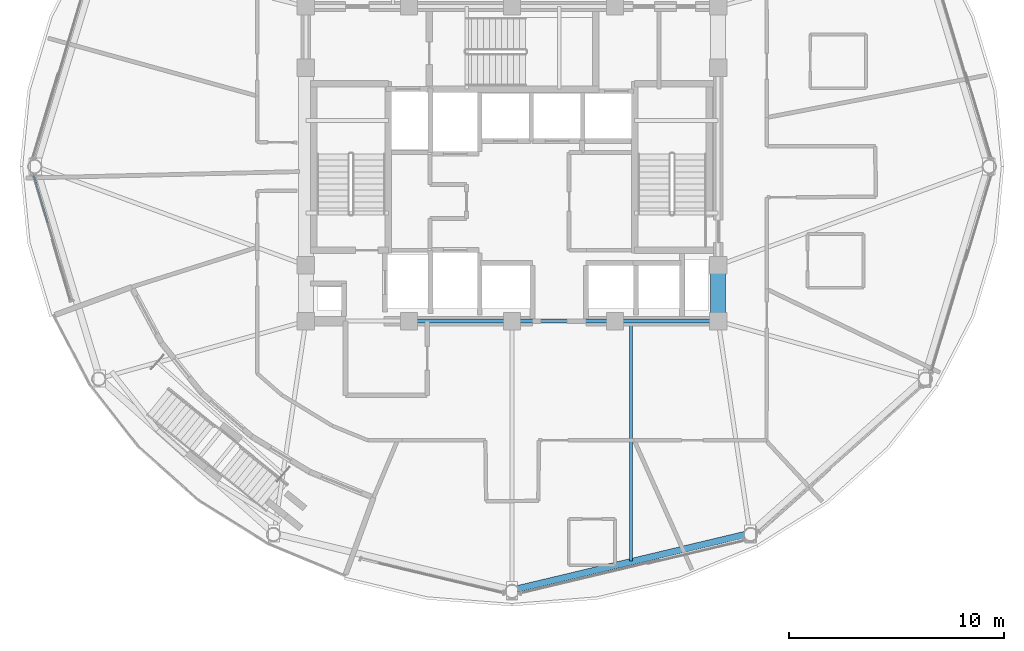
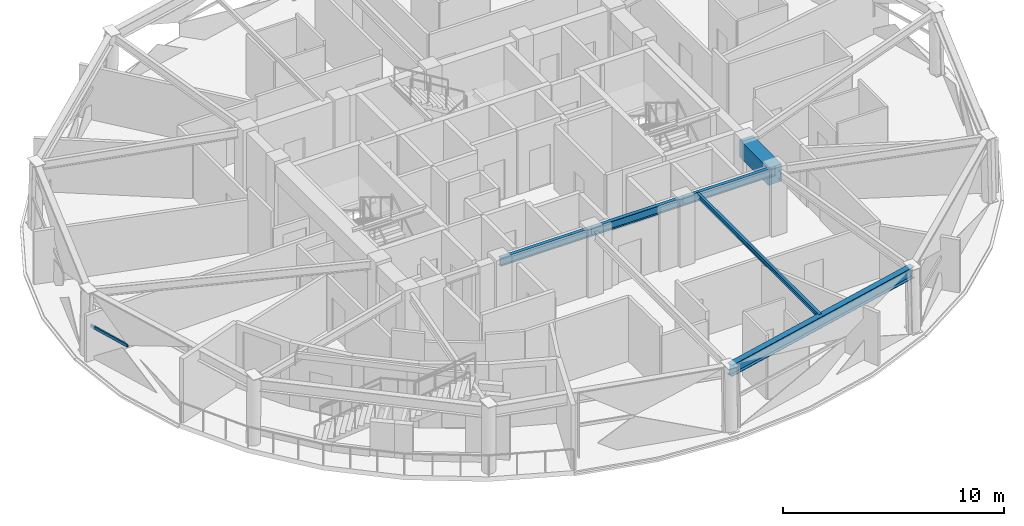
# One storey, part 3 of 17: 6 beams, 1 member, 1 element without a shape of its own.
"""IFC4 building model written with IfcOpenShell, lengths in metres."""

from ifc_helpers import new_model, si_unit, direction, frame, origin, origin_2d, place, context, subcontext, project, spatial, rectangle, hollow_rectangle, i_section, extrude, material, layer, layer_set, material_profile, profile_set, type_object, element, aggregate, save


model = new_model("IFC4")

# Units and contexts
model_context = context("Model", 3, precision=1e-05, world=origin(), true_north=direction((0.0, 1.0)))
body_context = subcontext(model_context, "Body", "Model", "MODEL_VIEW")
ifc_project = project(units=[si_unit("LENGTHUNIT", "METRE"), si_unit("AREAUNIT", "SQUARE_METRE"), si_unit("VOLUMEUNIT", "CUBIC_METRE"), si_unit("PLANEANGLEUNIT", "RADIAN"), si_unit("MASSUNIT", "GRAM", prefix="KILO")], contexts=[model_context])

# Site, building, storey
site_placement = place(None, origin())
site = spatial("IfcSite", under=ifc_project, at=site_placement, CompositionType="ELEMENT")
building_placement = place(site_placement, origin())
building = spatial("IfcBuilding", under=site, at=building_placement, Name="Vantalir Tower", CompositionType="ELEMENT")
storey_placement = place(building_placement, frame((0.0, 0.0, 208.64990234375)))
storey = spatial("IfcBuildingStorey", under=building, at=storey_placement, Name="L52", CompositionType="ELEMENT", Elevation=208.64990234375)

# Beams
ifc_material_1 = material(Name="Concrete C60/75", Category="concrete")
ifc_material_profile_1 = material_profile(ifc_material_1, rectangle(XDim=0.699951171875, YDim=0.949951171875, at=origin_2d()), Name="Concrete C60/75")
ifc_profile_set_1 = profile_set([ifc_material_profile_1], Name="Concrete C60/75")
beam_type_1 = type_object("IfcBeamType", Name="BM-CB-700x950", PredefinedType="USERDEFINED", material=ifc_profile_set_1)
beam_1_placement = place(storey_placement, frame((41.10009765625, 17.800048828125, 3.09521484375), z_axis=(0.0, 1.0, 0.0), x_axis=(-1.0, 0.0, 0.0)))
element("IfcBeam", 1, at=beam_1_placement, inside=storey, type_object=beam_type_1, Name="L52 Core Coupling Girder 05", ObjectType="GIRDER", PredefinedType="USERDEFINED", context=body_context, shape_type="SweptSolid", body=[
    extrude(rectangle(XDim=0.699951171875, YDim=0.949951171875, at=origin_2d()), origin(), (0.0, 0.0, 1.0), 2.599853515625),
])
ifc_material_2 = material(Name="Steel S355", Category="steel")
ifc_material_profile_2 = material_profile(ifc_material_2, i_section(OverallWidth=0.14599609375, OverallDepth=0.256103515625, WebThickness=0.00634765625, FlangeThickness=0.010986328125, at=origin_2d()), Name="Steel S355")
ifc_profile_set_2 = profile_set([ifc_material_profile_2], Name="Steel S355")
beam_type_2 = type_object("IfcBeamType", Name="BM-JS-254x146", PredefinedType="JOIST", material=ifc_profile_set_2)
beam_2_placement = place(storey_placement, frame((37.0400390625, 6.638916015625, 3.442138671875), z_axis=(0.0, 1.0, 0.0), x_axis=(-1.0, 0.0, 0.0)))
element("IfcBeam", 2, at=beam_2_placement, inside=storey, type_object=beam_type_2, Name="L52 Composite Trim Joist 02", PredefinedType="JOIST", context=body_context, shape_type="SweptSolid", body=[
    extrude(i_section(OverallWidth=0.14599609375, OverallDepth=0.256103515625, WebThickness=0.00634765625, FlangeThickness=0.010986328125, at=origin_2d()), origin(), (0.0, 0.0, 1.0), 11.115966796875),
])
ifc_material_profile_3 = material_profile(ifc_material_2, i_section(OverallWidth=0.19189453125, OverallDepth=0.462890625, WebThickness=0.010498046875, FlangeThickness=0.017578125, at=origin_2d()), Name="Steel S355")
ifc_profile_set_3 = profile_set([ifc_material_profile_3], Name="Steel S355")
beam_type_3 = type_object("IfcBeamType", Name="BM-RB-457x191", PredefinedType="BEAM", material=ifc_profile_set_3)
for number, where, z_axis, x_axis, name in (
    (3, (26.699951171875, 17.800048828125, 3.338134765625), (1.0, 0.0, 0.0), (0.0, 1.0, 0.0), "L52 Core Coupling Girder 02"),
    (4, (31.5, 17.800048828125, 3.338134765625), (1.0, 0.0, 0.0), (0.0, 1.0, 0.0), "L52 Core Coupling Girder 03"),
    (5, (36.300048828125, 17.800048828125, 3.338134765625), (1.0, 0.0, 0.0), (0.0, 1.0, 0.0), "L52 Core Coupling Girder 04"),
):
    element("IfcBeam", number, at=place(storey_placement, frame(where, z_axis=z_axis, x_axis=x_axis)), inside=storey, type_object=beam_type_3, Name=name, PredefinedType="BEAM", context=body_context, shape_type="SweptSolid", body=[
        extrude(i_section(OverallWidth=0.19189453125, OverallDepth=0.462890625, WebThickness=0.010498046875, FlangeThickness=0.017578125, at=origin_2d()), origin(), (0.0, 0.0, 1.0), 4.800048828125),
    ])
ifc_material_3 = material(Name="Steel S460", Category="steel")
ifc_material_profile_4 = material_profile(ifc_material_3, i_section(OverallWidth=0.306884765625, OverallDepth=0.6201171875, WebThickness=0.01416015625, FlangeThickness=0.023681640625, at=origin_2d()), Name="Steel S460")
ifc_profile_set_4 = profile_set([ifc_material_profile_4], Name="Steel S460")
beam_type_4 = type_object("IfcBeamType", Name="BM-RG-610x305", PredefinedType="USERDEFINED", material=ifc_profile_set_4)
beam_3_placement = place(storey_placement, frame((31.5, 5.27294921875, 3.260009765625), z_axis=(0.9727081621, 0.232031961989, 0.0), x_axis=(-0.232031961989, 0.9727081621, 0.0)))
element("IfcBeam", 6, at=beam_3_placement, inside=storey, type_object=beam_type_4, Name="L52 Circumferential Ring Girder 10", ObjectType="GIRDER", PredefinedType="USERDEFINED", context=body_context, shape_type="SweptSolid", body=[
    extrude(i_section(OverallWidth=0.306884765625, OverallDepth=0.6201171875, WebThickness=0.01416015625, FlangeThickness=0.023681640625, at=origin_2d()), origin(), (0.0, 0.0, 1.0), 11.390869140625),
])

# Curtain wall, member
ifc_material_4 = material(Name="Champagne-silver PVDF aluminium and double-silver Low-E glass", Category="aluminium")
ifc_layer = layer(ifc_material_4, 0.2099609375)
ifc_layer_set = layer_set([ifc_layer], Name="Champagne-silver PVDF aluminium and double-silver Low-E glass")
curtain_wall_type = type_object("IfcCurtainWallType", Name="CW-DIAMOND-Z3", PredefinedType="USERDEFINED", material=ifc_layer_set)
curtain_wall_placement = place(storey_placement, origin())
curtain_wall = element("IfcCurtainWall", 7, at=curtain_wall_placement, inside=storey, type_object=curtain_wall_type, Name="L52 Quilted Pyramid-Diamond Curtain Wall S07", ObjectType="UNITISED CURTAIN WALL", PredefinedType="USERDEFINED")
ifc_material_5 = material(Name="Champagne-silver PVDF aluminium 6063-T6", Category="aluminium")
ifc_material_profile_5 = material_profile(ifc_material_5, hollow_rectangle(XDim=0.074951171875, YDim=0.159912109375, WallThickness=0.00390625, at=origin_2d()), Name="Champagne-silver PVDF aluminium 6063-T6")
ifc_profile_set_5 = profile_set([ifc_material_profile_5], Name="Champagne-silver PVDF aluminium 6063-T6")
member_type = type_object("IfcMemberType", Name="CWT-160x75", PredefinedType="USERDEFINED", material=ifc_profile_set_5)
member_placement = place(storey_placement, frame((9.23095703125, 24.60693359375, 1.78515625), z_axis=(0.278134645148, -0.96054209651, 0.0), x_axis=(0.96054209651, 0.278134645148, 0.0)))
member = element("IfcMember", 8, at=member_placement, type_object=member_type, Name="CW-L52-S07 Pyramid Fold Ridge Transom", ObjectType="TRANSOM", PredefinedType="USERDEFINED", context=body_context, shape_type="SweptSolid", body=[
    extrude(hollow_rectangle(XDim=0.074951171875, YDim=0.159912109375, WallThickness=0.00390625, at=origin_2d()), origin(), (0.0, 0.0, 1.0), 2.322509765625),
])
aggregate(curtain_wall, [member])

save(model, "model.ifc")
